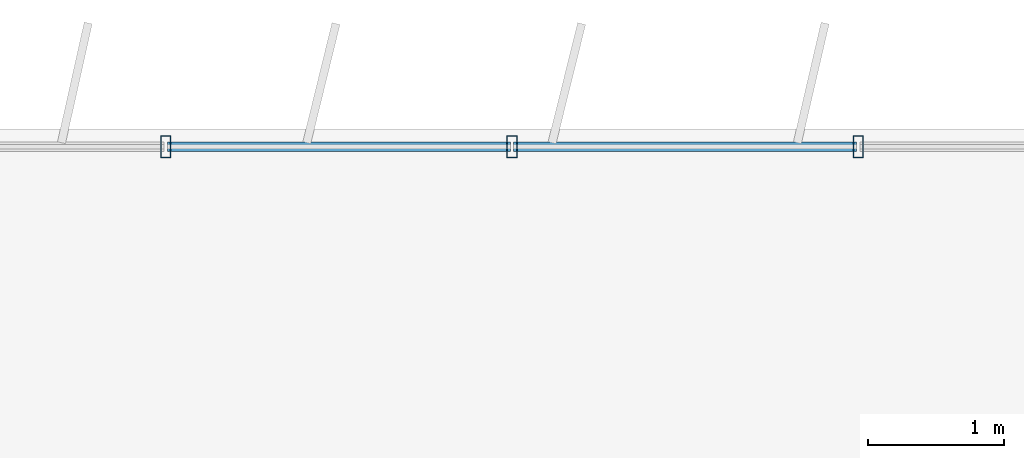
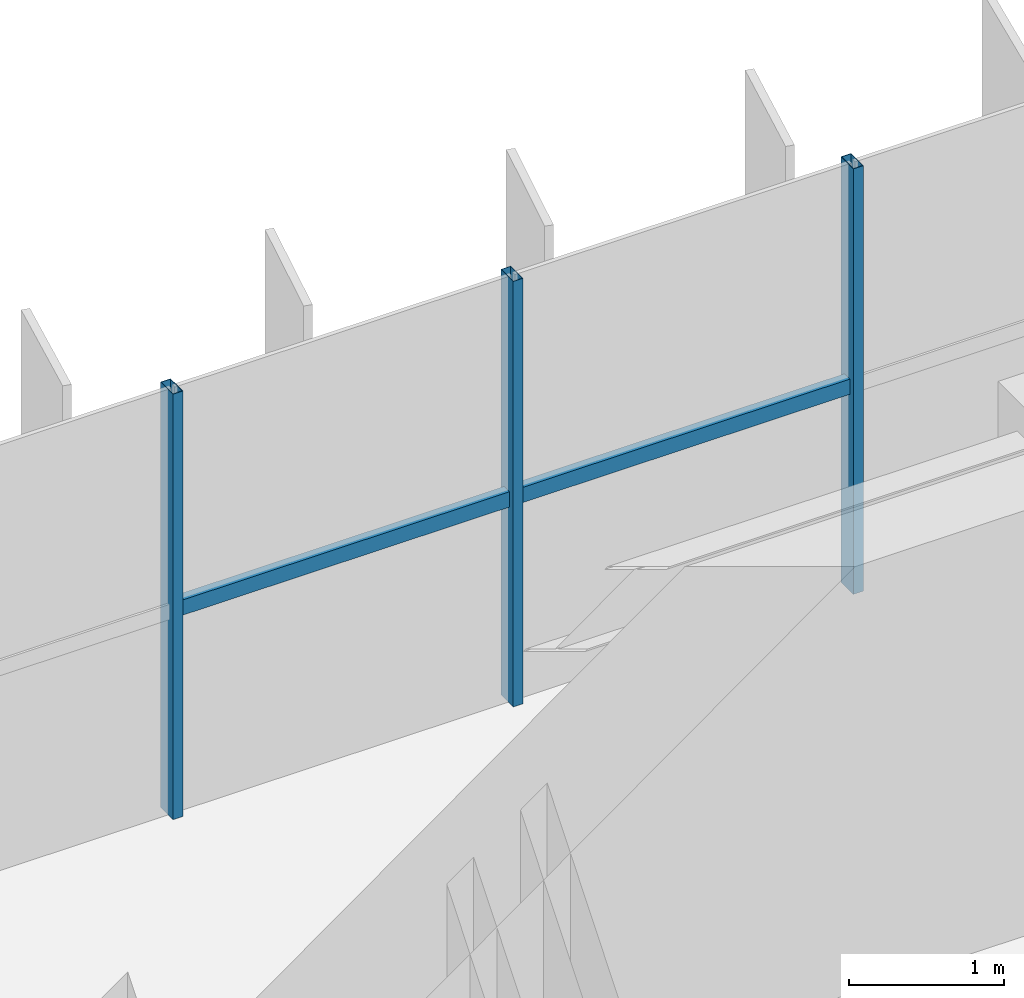
# One storey, part 12 of 27: 5 members, 1 element without a shape of its own.
"""IFC4 building model written with IfcOpenShell, lengths in metres."""

from ifc_helpers import new_model, si_unit, direction, frame, origin, origin_2d, place, context, subcontext, project, spatial, hollow_rectangle, extrude, source, transform, mapped, material, material_profile, profile_set, type_object, element, aggregate, save


model = new_model("IFC4")

# Units and contexts
model_context = context("Model", 3, precision=1e-05, world=origin(), true_north=direction((0.0, 1.0)))
body_context = subcontext(model_context, "Body", "Model", "MODEL_VIEW")
ifc_project = project(units=[si_unit("LENGTHUNIT", "METRE"), si_unit("AREAUNIT", "SQUARE_METRE"), si_unit("VOLUMEUNIT", "CUBIC_METRE"), si_unit("PLANEANGLEUNIT", "RADIAN"), si_unit("MASSUNIT", "GRAM", prefix="KILO")], contexts=[model_context])

# Site, building, storey
site_placement = place(None, origin())
site = spatial("IfcSite", under=ifc_project, at=site_placement, CompositionType="ELEMENT")
building_placement = place(site_placement, origin())
building = spatial("IfcBuilding", under=site, at=building_placement, Name="Trelvane Seafront Commons", CompositionType="ELEMENT")
storey_placement = place(building_placement, frame((0.0, 0.0, 233.699951171875)))
storey = spatial("IfcBuildingStorey", under=building, at=storey_placement, Name="L61", CompositionType="ELEMENT", Elevation=233.699951171875)

# Curtain wall, members
ifc_material = material(Name="Anodised pale-silver aluminium", Category="aluminium")
curtain_wall_type = type_object("IfcCurtainWallType", Name="ARCH-CW5-UPTOWER", PredefinedType="NOTDEFINED", material=ifc_material)
curtain_wall_placement = place(storey_placement, origin())
curtain_wall = element("IfcCurtainWall", 1, at=curtain_wall_placement, inside=storey, type_object=curtain_wall_type, Name="CW-L61-0104", PredefinedType="NOTDEFINED")
ifc_material_profile_1 = material_profile(ifc_material, hollow_rectangle(XDim=0.070068359375, YDim=0.1201171875, WallThickness=0.00390625, at=origin_2d()), Name="TRAN-70x120x4")
ifc_profile_set_1 = profile_set([ifc_material_profile_1], Name="Anodised pale-silver aluminium")
member_type_1 = type_object("IfcMemberType", Name="ARCH-CW-TRAN-120", PredefinedType="USERDEFINED", material=ifc_profile_set_1)
shared_shape_1 = source(origin(), body_context, "Body", "SweptSolid", [
    extrude(hollow_rectangle(XDim=0.070068359375, YDim=0.1201171875, WallThickness=0.00390625, at=origin_2d()), origin(), (0.0, 0.0, 1.0), 2.517333984375),
])
member_1_placement = place(storey_placement, frame((25.776611328125, 48.3701171875, 1.613037109375), z_axis=(1.0, 0.0, 0.0), x_axis=(0.0, 1.0, 0.0)))
member_1 = element("IfcMember", 2, at=member_1_placement, type_object=member_type_1, Name="CW-L61-0104-T04", ObjectType="TRANSOM", PredefinedType="USERDEFINED", context=body_context, shape_type="MappedRepresentation", body=[
    mapped(shared_shape_1, transform((0.0, 0.0, 0.0), x_axis=(1.0, 0.0, 0.0), y_axis=(0.0, 1.0, 0.0), z_axis=(0.0, 0.0, 1.0), scale=1.0)),
])
member_2_placement = place(storey_placement, frame((28.31787109375, 48.3701171875, 1.613037109375), z_axis=(1.0, 0.0, 0.0), x_axis=(0.0, 1.0, 0.0)))
member_2 = element("IfcMember", 3, at=member_2_placement, type_object=member_type_1, Name="CW-L61-0104-T05", ObjectType="TRANSOM", PredefinedType="USERDEFINED", context=body_context, shape_type="MappedRepresentation", body=[
    mapped(shared_shape_1, transform((0.0, 0.0, 0.0), x_axis=(1.0, 0.0, 0.0), y_axis=(0.0, 1.0, 0.0), z_axis=(0.0, 0.0, 1.0), scale=1.0)),
])
ifc_material_profile_2 = material_profile(ifc_material, hollow_rectangle(XDim=0.074951171875, YDim=0.159912109375, WallThickness=0.00390625, at=origin_2d()), Name="MULL-75x160x4")
ifc_profile_set_2 = profile_set([ifc_material_profile_2], Name="Anodised pale-silver aluminium")
member_type_2 = type_object("IfcMemberType", Name="ARCH-CW-MULL-160", PredefinedType="MULLION", material=ifc_profile_set_2)
shared_shape_2 = source(origin(), body_context, "Body", "SweptSolid", [
    extrude(hollow_rectangle(XDim=0.074951171875, YDim=0.159912109375, WallThickness=0.00390625, at=origin_2d()), origin(), (0.0, 0.0, 1.0), 3.360107421875),
])
member_3_placement = place(storey_placement, frame((25.7646484375, 48.3701171875, 0.0), z_axis=(0.0, 0.0, 1.0), x_axis=(1.0, 0.0, 0.0)))
member_3 = element("IfcMember", 4, at=member_3_placement, type_object=member_type_2, Name="CW-L61-0104-M04", PredefinedType="MULLION", context=body_context, shape_type="MappedRepresentation", body=[
    mapped(shared_shape_2, transform((0.0, 0.0, 0.0), x_axis=(1.0, 0.0, 0.0), y_axis=(0.0, 1.0, 0.0), z_axis=(0.0, 0.0, 1.0), scale=1.0)),
])
member_4_placement = place(storey_placement, frame((28.305908203125, 48.3701171875, 0.0), z_axis=(0.0, 0.0, 1.0), x_axis=(1.0, 0.0, 0.0)))
member_4 = element("IfcMember", 5, at=member_4_placement, type_object=member_type_2, Name="CW-L61-0104-M05", PredefinedType="MULLION", context=body_context, shape_type="MappedRepresentation", body=[
    mapped(shared_shape_2, transform((0.0, 0.0, 0.0), x_axis=(1.0, 0.0, 0.0), y_axis=(0.0, 1.0, 0.0), z_axis=(0.0, 0.0, 1.0), scale=1.0)),
])
member_5_placement = place(storey_placement, frame((30.84716796875, 48.3701171875, 0.0), z_axis=(0.0, 0.0, 1.0), x_axis=(1.0, 0.0, 0.0)))
member_5 = element("IfcMember", 6, at=member_5_placement, type_object=member_type_2, Name="CW-L61-0104-M06", PredefinedType="MULLION", context=body_context, shape_type="MappedRepresentation", body=[
    mapped(shared_shape_2, transform((0.0, 0.0, 0.0), x_axis=(1.0, 0.0, 0.0), y_axis=(0.0, 1.0, 0.0), z_axis=(0.0, 0.0, 1.0), scale=1.0)),
])
aggregate(curtain_wall, [member_3, member_4, member_5, member_1, member_2])

save(model, "model.ifc")
